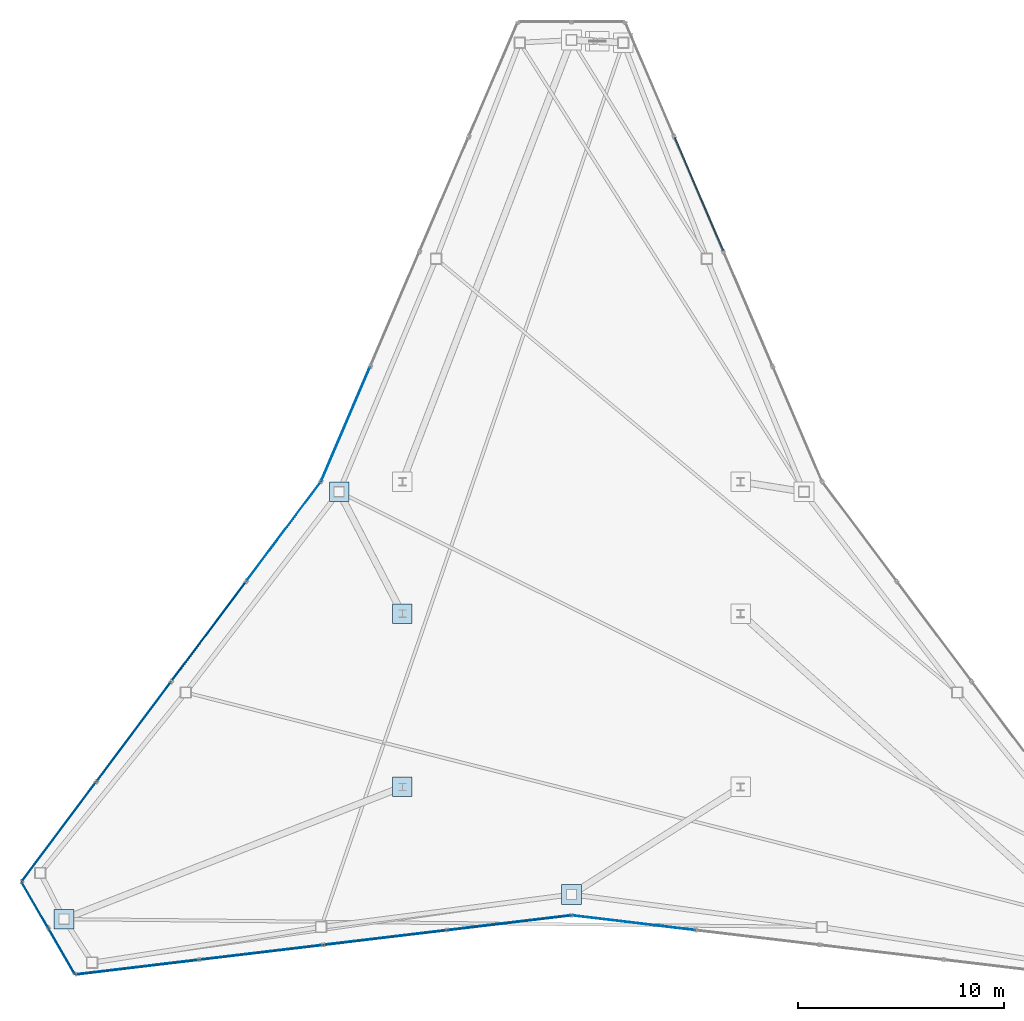
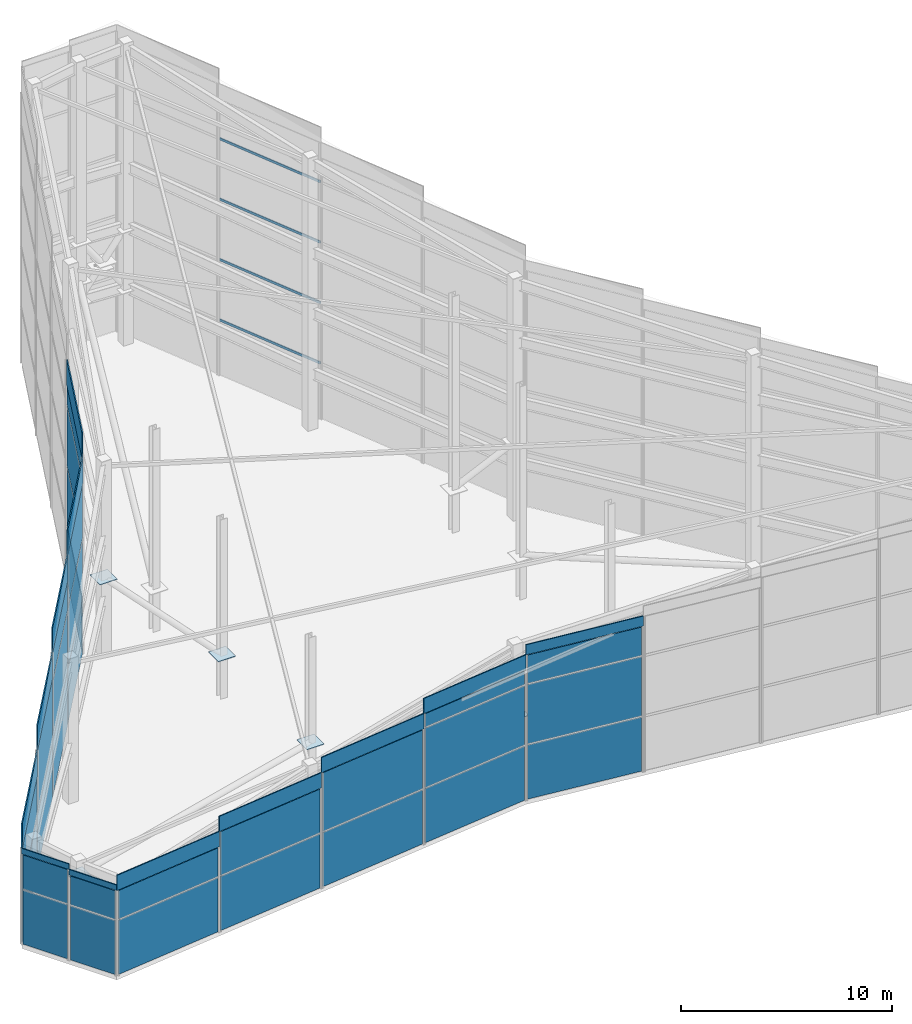
# One storey, part 14 of 17: 47 plates, 4 members, 13 elements without a shape of their own.
"""IFC4 building model written with IfcOpenShell, lengths in metres."""

import ifcopenshell
import ifcopenshell.guid

model = None  # the IFC model being written
_history = None  # IfcOwnerHistory: only IFC2X3 demands one
_inside = {}  # id of a spatial element -> (the spatial element, [elements in it])
_under = {}  # id of a project, library or spatial element -> (it, [spatial elements below it])
_declared = {}  # id of a project -> (the project, [libraries it declares])
_typed = {}  # id of a type object -> (the type object, [elements of that type])
_made_of = {}  # id of a material, layer set ... -> (it, [elements and type objects made of it])


def new_model(schema):
    """Start an empty IFC model of exactly this schema.

    Asked for "IFC4X3", IfcOpenShell would pick the latest addendum, in which some entities
    have other attributes; the version numbers below select the first issue.
    IFC2X3 requires an IfcOwnerHistory on every rooted entity: one is made here for all.
    """
    global model, _history
    if schema == "IFC4X3":
        model = ifcopenshell.file(schema_version=(4, 3, 0, 0))
    else:
        model = ifcopenshell.file(schema=schema)
    _inside.clear()
    _under.clear()
    _declared.clear()
    _typed.clear()
    _made_of.clear()
    _history = None
    if model.schema == "IFC2X3":
        org = make("IfcOrganization", Name="unknown")
        user = make(
            "IfcPersonAndOrganization",
            ThePerson=make("IfcPerson", FamilyName="unknown"),
            TheOrganization=org,
        )
        app = make(
            "IfcApplication",
            ApplicationDeveloper=org,
            Version="unknown",
            ApplicationFullName="unknown",
            ApplicationIdentifier="unknown",
        )
        _history = make(
            "IfcOwnerHistory",
            OwningUser=user,
            OwningApplication=app,
            ChangeAction="ADDED",
            CreationDate=0,
        )
    return model


def make(cls, **values):
    """One entity of the class cls with the attributes given. An attribute that is None is left unset."""
    return model.create_entity(
        cls, **{name: value for name, value in values.items() if value is not None}
    )


def rooted(cls, **values):
    """An entity with a GlobalId (a new one), such as an element, a storey or a relation."""
    return make(cls, GlobalId=ifcopenshell.guid.new(), OwnerHistory=_history, **values)


def si_unit(unit_type, name, prefix=None):
    """IfcSIUnit, for example si_unit("LENGTHUNIT", "METRE", prefix="MILLI")."""
    return make("IfcSIUnit", UnitType=unit_type, Prefix=prefix, Name=name)


def assignment(units):
    """IfcUnitAssignment: the units of a project."""
    return None if units is None else make("IfcUnitAssignment", Units=units)


def point(xyz):
    """IfcCartesianPoint."""
    return None if xyz is None else make("IfcCartesianPoint", Coordinates=xyz)


def direction(xyz):
    """IfcDirection."""
    return None if xyz is None else make("IfcDirection", DirectionRatios=xyz)


def frame(location, z_axis=None, x_axis=None):
    """IfcAxis2Placement3D, a coordinate frame: its origin and axes. An axis left out is left unset."""
    return make(
        "IfcAxis2Placement3D",
        Location=point(location),
        Axis=direction(z_axis),
        RefDirection=direction(x_axis),
    )


def frame_2d(location, x_axis=None):
    """IfcAxis2Placement2D, a coordinate frame in the plane: its origin and x axis."""
    return make(
        "IfcAxis2Placement2D", Location=point(location), RefDirection=direction(x_axis)
    )


def origin():
    """The frame at (0, 0, 0) with its axes left unset."""
    return frame((0.0, 0.0, 0.0))


def origin_2d():
    """The frame at (0, 0) in the plane with its x axis left unset."""
    return frame_2d((0.0, 0.0))


def place(relative_to, where):
    """IfcLocalPlacement: puts the frame where relative to a parent placement (None: the world)."""
    return make(
        "IfcLocalPlacement", PlacementRelTo=relative_to, RelativePlacement=where
    )


def context(
    kind, dimensions, precision=None, world=None, true_north=None, identifier=None
):
    """IfcGeometricRepresentationContext, for example the 3D "Model" context."""
    return make(
        "IfcGeometricRepresentationContext",
        ContextIdentifier=identifier,
        ContextType=kind,
        CoordinateSpaceDimension=dimensions,
        Precision=precision,
        WorldCoordinateSystem=world,
        TrueNorth=true_north,
    )


def subcontext(parent, identifier, kind, view, scale=None):
    """IfcGeometricRepresentationSubContext, for example "Body" below "Model"."""
    return make(
        "IfcGeometricRepresentationSubContext",
        ContextIdentifier=identifier,
        ContextType=kind,
        ParentContext=parent,
        TargetScale=scale,
        TargetView=view,
    )


def project(units=None, contexts=None):
    """IfcProject with its units and contexts."""
    return rooted(
        "IfcProject",
        Name="project",
        RepresentationContexts=contexts,
        UnitsInContext=assignment(units),
    )


def spatial(cls, under=None, at=None, **own):
    """A site, building, storey or space (cls), placed at a placement, below another one or the project."""
    s = rooted(cls, ObjectPlacement=at, **own)
    if under is not None:
        _under.setdefault(under.id(), (under, []))[1].append(s)
    return s


def profile(cls, at=None, kind="AREA", **sizes):
    """A parametric profile (cls). Its sizes go by their IFC names, for example OverallWidth=200.0."""
    return make(cls, ProfileType=kind, Position=at, **sizes)


def rectangle(**sizes):
    """IfcRectangleProfileDef."""
    return profile("IfcRectangleProfileDef", **sizes)


def extrude(swept, where, along, depth):
    """IfcExtrudedAreaSolid: the profile swept, set in the frame where, extruded along a direction by depth."""
    return make(
        "IfcExtrudedAreaSolid",
        SweptArea=swept,
        Position=where,
        ExtrudedDirection=direction(along),
        Depth=depth,
    )


def shape(context_of_items, identifier, shape_type, items):
    """IfcShapeRepresentation: the items that make up one representation, for example the "Body"."""
    return make(
        "IfcShapeRepresentation",
        ContextOfItems=context_of_items,
        RepresentationIdentifier=identifier,
        RepresentationType=shape_type,
        Items=items,
    )


def source(mapping_origin, context_of_items, identifier, shape_type, items):
    """IfcRepresentationMap: a shape defined once, which mapped items show again and again."""
    return make(
        "IfcRepresentationMap",
        MappingOrigin=mapping_origin,
        MappedRepresentation=shape(context_of_items, identifier, shape_type, items),
    )


def transform(
    local_origin,
    x_axis=None,
    y_axis=None,
    z_axis=None,
    scale=None,
    scale2=None,
    scale3=None,
    uniform=True,
):
    """IfcCartesianTransformationOperator3D, or its non-uniform kind. x_axis, y_axis, z_axis: its Axis1, 2, 3."""
    if uniform:
        return make(
            "IfcCartesianTransformationOperator3D",
            Axis1=direction(x_axis),
            Axis2=direction(y_axis),
            LocalOrigin=point(local_origin),
            Scale=scale,
            Axis3=direction(z_axis),
        )
    return make(
        "IfcCartesianTransformationOperator3DnonUniform",
        Axis1=direction(x_axis),
        Axis2=direction(y_axis),
        LocalOrigin=point(local_origin),
        Scale=scale,
        Axis3=direction(z_axis),
        Scale2=scale2,
        Scale3=scale3,
    )


def mapped(mapping_source, mapping_target):
    """IfcMappedItem: shows the shape of a source again, moved by a transform."""
    return make(
        "IfcMappedItem", MappingSource=mapping_source, MappingTarget=mapping_target
    )


def material(Name=None, Category=None):
    """IfcMaterial."""
    return make("IfcMaterial", Name=Name, Category=Category)


def layer(
    of_material, thickness, ventilated=None, Name=None, Category=None, Priority=None
):
    """IfcMaterialLayer: one layer of a wall or slab, of a material (None: an air gap)."""
    return make(
        "IfcMaterialLayer",
        Material=of_material,
        LayerThickness=thickness,
        IsVentilated=ventilated,
        Name=Name,
        Category=Category,
        Priority=Priority,
    )


def layer_set(layers, Name=None):
    """IfcMaterialLayerSet."""
    return make("IfcMaterialLayerSet", MaterialLayers=layers, LayerSetName=Name)


def material_profile(
    of_material, cross_section, Name=None, Category=None, Priority=None
):
    """IfcMaterialProfile: a cross section and its material."""
    return make(
        "IfcMaterialProfile",
        Name=Name,
        Material=of_material,
        Profile=cross_section,
        Priority=Priority,
        Category=Category,
    )


def profile_set(profiles, Name=None, composite=None):
    """IfcMaterialProfileSet."""
    return make(
        "IfcMaterialProfileSet",
        Name=Name,
        MaterialProfiles=profiles,
        CompositeProfile=composite,
    )


def made_of(thing, what):
    """Note that an element or type object is made of a material, layer set ...; save() writes the relation."""
    if what is not None:
        _made_of.setdefault(what.id(), (what, []))[1].append(thing)
    return thing


def type_object(cls, material=None, **own):
    """A type object (cls), such as IfcWallType, which elements share."""
    return made_of(rooted(cls, **own), material)


def type_shapes(of_type, sources):
    """Give a type object the sources (RepresentationMaps) that its elements show as mapped items."""
    of_type.RepresentationMaps = sources


def element(
    cls,
    number,
    at=None,
    inside=None,
    cuts=None,
    type_object=None,
    material=None,
    context=None,
    identifier="Body",
    shape_type=None,
    held_by="IfcProductDefinitionShape",
    body=None,
    shapes=None,
    **own,
):
    """One element of the class cls, such as IfcWall. Its Tag is "e" and its number.

    at: its placement. inside: the storey or other place that contains it. cuts: it is an
    opening in that element (IfcRelVoidsElement). A single representation is given by context,
    identifier, shape_type and body (its items); several are given by shapes. held_by: the class
    of the entity that holds the representations. save() writes the other relations.
    """
    e = rooted(cls, Tag="e%d" % number, ObjectPlacement=at, **own)
    if body is not None:
        shapes = [shape(context, identifier, shape_type, body)]
    if shapes is not None:
        e.Representation = make(held_by, Representations=shapes)
    if inside is not None:
        _inside.setdefault(inside.id(), (inside, []))[1].append(e)
    if cuts is not None:
        rooted(
            "IfcRelVoidsElement", RelatingBuildingElement=cuts, RelatedOpeningElement=e
        )
    if type_object is not None:
        _typed.setdefault(type_object.id(), (type_object, []))[1].append(e)
    return made_of(e, material)


def aggregate(whole, parts):
    """IfcRelAggregates: a whole, such as a stair, and the parts it consists of."""
    return rooted("IfcRelAggregates", RelatingObject=whole, RelatedObjects=parts)


def save(model, path):
    """Write the relations noted so far, then the file.

    IfcRelAggregates (storeys below a building ...), IfcRelContainedInSpatialStructure (elements
    in a storey), IfcRelDefinesByType, IfcRelAssociatesMaterial and IfcRelDeclares: one each for
    every whole, place, type object, material and project.
    """
    for whole, parts in _under.values():
        aggregate(whole, parts)
    for where, things in _inside.values():
        rooted(
            "IfcRelContainedInSpatialStructure",
            RelatedElements=things,
            RelatingStructure=where,
        )
    for kind, things in _typed.values():
        rooted("IfcRelDefinesByType", RelatedObjects=things, RelatingType=kind)
    for what, things in _made_of.values():
        rooted("IfcRelAssociatesMaterial", RelatedObjects=things, RelatingMaterial=what)
    for by, libraries in _declared.values():
        rooted("IfcRelDeclares", RelatingContext=by, RelatedDefinitions=libraries)
    model.write(path)


model = new_model("IFC4")

# Units and contexts
model_context = context("Model", 3, precision=1e-05, world=origin(), true_north=direction((0.0, 1.0)))
body_context = subcontext(model_context, "Body", "Model", "MODEL_VIEW")
ifc_project = project(units=[si_unit("LENGTHUNIT", "METRE"), si_unit("AREAUNIT", "SQUARE_METRE"), si_unit("VOLUMEUNIT", "CUBIC_METRE"), si_unit("PLANEANGLEUNIT", "RADIAN"), si_unit("MASSUNIT", "GRAM", prefix="KILO")], contexts=[model_context])

# Site, building, storey
site_placement = place(None, origin())
site = spatial("IfcSite", under=ifc_project, at=site_placement, CompositionType="ELEMENT")
building_placement = place(site_placement, origin())
building = spatial("IfcBuilding", under=site, at=building_placement, Name="Varakhsha Concourse Tower", CompositionType="ELEMENT")
storey_placement = place(building_placement, frame((0.0, 0.0, 294.800048828125)))
storey = spatial("IfcBuildingStorey", under=building, at=storey_placement, Name="RF", CompositionType="ELEMENT", Elevation=294.800048828125)

# Curtain wall, members
ifc_material_1 = material(Name="Anodised Bronze Architectural Aluminium AA 6063-T6", Category="aluminium")
ifc_layer_1 = layer(ifc_material_1, 0.219970703125, Name="CW-SYS-07")
ifc_layer_set_1 = layer_set([ifc_layer_1], Name="Anodised Bronze Architectural Aluminium AA 6063-T6")
curtain_wall_type = type_object("IfcCurtainWallType", Name="CW-SYS-07", PredefinedType="NOTDEFINED", material=ifc_layer_set_1)
curtain_wall_1_placement = place(storey_placement, origin())
curtain_wall_1 = element("IfcCurtainWall", 1, at=curtain_wall_1_placement, inside=storey, type_object=curtain_wall_type, Name="Slanted Crown Curtain Wall F9-S3", PredefinedType="NOTDEFINED")
ifc_material_profile = material_profile(ifc_material_1, rectangle(XDim=0.06005859375, YDim=0.139892578125, at=origin_2d()), Name="CWT-140X60")
ifc_profile_set = profile_set([ifc_material_profile], Name="Anodised Bronze Architectural Aluminium AA 6063-T6")
member_type = type_object("IfcMemberType", Name="CWT-140X60", PredefinedType="USERDEFINED", material=ifc_profile_set)
shared_shape_1 = source(origin(), body_context, "Body", "SweptSolid", [
    extrude(rectangle(XDim=0.06005859375, YDim=0.139892578125, at=origin_2d()), origin(), (0.0, 0.0, 1.0), 5.96044921875),
])
type_shapes(member_type, [shared_shape_1])
member_1_placement = place(storey_placement, frame((45.006591796875, 47.8798828125, 3.199951171875), z_axis=(0.393864920848, -0.919168332856, 0.0), x_axis=(0.919168332856, 0.393864920848, 0.0)))
member_1 = element("IfcMember", 2, at=member_1_placement, type_object=member_type, Name="CW-RF-F9S3 Transom 01", ObjectType="TRANSOM", PredefinedType="USERDEFINED", context=body_context, shape_type="MappedRepresentation", body=[
    mapped(shared_shape_1, transform((0.0, 0.0, 0.0), scale=1.0)),
])
member_2_placement = place(storey_placement, frame((45.006591796875, 47.8798828125, 6.699951171875), z_axis=(0.393864920848, -0.919168332856, 0.0), x_axis=(0.919168332856, 0.393864920848, 0.0)))
member_2 = element("IfcMember", 3, at=member_2_placement, type_object=member_type, Name="CW-RF-F9S3 Transom 02", ObjectType="TRANSOM", PredefinedType="USERDEFINED", context=body_context, shape_type="MappedRepresentation", body=[
    mapped(shared_shape_1, transform((0.0, 0.0, 0.0), scale=1.0)),
])
member_3_placement = place(storey_placement, frame((45.006591796875, 47.8798828125, 10.199951171875), z_axis=(0.393864920848, -0.919168332856, 0.0), x_axis=(0.919168332856, 0.393864920848, 0.0)))
member_3 = element("IfcMember", 4, at=member_3_placement, type_object=member_type, Name="CW-RF-F9S3 Transom 03", ObjectType="TRANSOM", PredefinedType="USERDEFINED", context=body_context, shape_type="MappedRepresentation", body=[
    mapped(shared_shape_1, transform((0.0, 0.0, 0.0), scale=1.0)),
])
member_4_placement = place(storey_placement, frame((45.006591796875, 47.8798828125, 13.699951171875), z_axis=(0.393864920848, -0.919168332856, 0.0), x_axis=(0.919168332856, 0.393864920848, 0.0)))
member_4 = element("IfcMember", 5, at=member_4_placement, type_object=member_type, Name="CW-RF-F9S3 Transom 04", ObjectType="TRANSOM", PredefinedType="USERDEFINED", context=body_context, shape_type="MappedRepresentation", body=[
    mapped(shared_shape_1, transform((0.0, 0.0, 0.0), scale=1.0)),
])
aggregate(curtain_wall_1, [member_1, member_2, member_3, member_4])

# Plates
ifc_material_2 = material(Name="Structural Steel ASTM A572 Grade 50", Category="steel")
ifc_layer_2 = layer(ifc_material_2, 0.030029296875, Name="PL-ENDCAP-950")
ifc_layer_set_2 = layer_set([ifc_layer_2], Name="Structural Steel ASTM A572 Grade 50")
plate_type_1 = type_object("IfcPlateType", Name="PL-ENDCAP-950", PredefinedType="USERDEFINED", material=ifc_layer_set_2)
shared_shape_2 = source(origin(), body_context, "Body", "SweptSolid", [
    extrude(rectangle(XDim=0.949951171875, YDim=0.949951171875, at=origin_2d()), origin(), (0.0, 0.0, 1.0), 0.030029296875),
])
type_shapes(plate_type_1, [shared_shape_2])
for number, where, z_axis, x_axis, name in (
    (6, (31.800048828125, 16.39990234375, 2.43505859375), (0.0, 0.0, 1.0), (1.0, 0.0, 0.0), "Hollow Section End Cap GP-NODE-RF-0874"),
    (7, (15.390380859375, 9.99169921875, 4.384765625), (0.0, 0.0, 1.0), (1.0, 0.0, 0.0), "Hollow Section End Cap GP-NODE-RF-0875"),
    (8, (40.0, 11.18505859375, 4.384765625), (0.0, 0.0, 1.0), (1.0, 0.0, 0.0), "Hollow Section End Cap GP-NODE-RF-0877"),
    (9, (31.800048828125, 24.800048828125, 2.43505859375), (0.0, 0.0, 1.0), (1.0, 0.0, 0.0), "Hollow Section End Cap GP-NODE-RF-0884"),
    (10, (28.728759765625, 30.70751953125, 4.384765625), (0.0, 0.0, 1.0), (1.0, 0.0, 0.0), "Hollow Section End Cap GP-NODE-RF-0885"),
):
    element("IfcPlate", number, at=place(storey_placement, frame(where, z_axis=z_axis, x_axis=x_axis)), inside=storey, type_object=plate_type_1, Name=name, ObjectType="END PLATE", PredefinedType="USERDEFINED", context=body_context, shape_type="MappedRepresentation", body=[
        mapped(shared_shape_2, transform((0.0, 0.0, 0.0), scale=1.0)),
    ])

# Curtain wall, plate
curtain_wall_2_placement = place(storey_placement, origin())
curtain_wall_2 = element("IfcCurtainWall", 11, at=curtain_wall_2_placement, inside=storey, type_object=curtain_wall_type, Name="Slanted Crown Curtain Wall F4-S1", PredefinedType="NOTDEFINED")
ifc_material_3 = material(Name="Insulated Anodised Bronze Aluminium Spandrel 36 mm", Category="aluminium")
ifc_layer_3 = layer(ifc_material_3, 0.035888671875, Name="CWP-SPN-36")
ifc_layer_set_3 = layer_set([ifc_layer_3], Name="Insulated Anodised Bronze Aluminium Spandrel 36 mm")
plate_type_2 = type_object("IfcPlateType", Name="CWP-SPN-36", PredefinedType="USERDEFINED", material=ifc_layer_set_3)
shared_shape_3 = source(origin(), body_context, "Body", "SweptSolid", [
    extrude(rectangle(XDim=2.430908203125, YDim=0.035888671875, at=origin_2d()), origin(), (0.0, 0.0, 1.0), 3.135986328125),
])
plate_1_placement = place(storey_placement, frame((13.978271484375, 10.677490234375, 0.03173828125), z_axis=(0.0, 0.0, 1.0), x_axis=(-0.500010580459, 0.866019295067, 0.0)))
plate_1 = element("IfcPlate", 12, at=plate_1_placement, type_object=plate_type_2, Name="CW-RF-F4S1 Panel 00-00", ObjectType="SPANDREL", PredefinedType="USERDEFINED", context=body_context, shape_type="MappedRepresentation", body=[
    mapped(shared_shape_3, transform((0.0, 0.0, 0.0), scale=1.0)),
])

curtain_wall_3_placement = place(storey_placement, origin())
curtain_wall_3 = element("IfcCurtainWall", 13, at=curtain_wall_3_placement, inside=storey, type_object=curtain_wall_type, Name="Slanted Crown Curtain Wall F4-S2", PredefinedType="NOTDEFINED")
plate_2_placement = place(storey_placement, frame((15.2783203125, 8.42578125, 0.03173828125), z_axis=(0.0, 0.0, 1.0), x_axis=(-0.49999395399, 0.866028894422, 0.0)))
plate_2 = element("IfcPlate", 14, at=plate_2_placement, type_object=plate_type_2, Name="CW-RF-F4S2 Panel 00-00", ObjectType="SPANDREL", PredefinedType="USERDEFINED", context=body_context, shape_type="MappedRepresentation", body=[
    mapped(shared_shape_3, transform((0.0, 0.0, 0.0), scale=1.0)),
])

# Plate
shared_shape_4 = source(origin(), body_context, "Body", "SweptSolid", [
    extrude(rectangle(XDim=2.60009765625, YDim=0.06005859375, at=origin_2d()), origin(), (0.0, 0.0, 1.0), 0.320068359375),
])
plate_3_placement = place(storey_placement, frame((15.2783203125, 8.42578125, 4.935546875), z_axis=(0.0, 0.0, 1.0), x_axis=(-0.5, 0.866025403784, 0.0)))
element("IfcPlate", 15, at=plate_3_placement, inside=storey, type_object=plate_type_2, Name="Crown Sloped Fascia Wedge Closure F4-S2", ObjectType="SPANDREL", PredefinedType="USERDEFINED", context=body_context, shape_type="MappedRepresentation", body=[
    mapped(shared_shape_4, transform((0.0, 0.0, 0.0), scale=1.0)),
])

# Curtain wall, plate
curtain_wall_4_placement = place(storey_placement, origin())
curtain_wall_4 = element("IfcCurtainWall", 16, at=curtain_wall_4_placement, inside=storey, type_object=curtain_wall_type, Name="Slanted Crown Curtain Wall F2-S4", PredefinedType="NOTDEFINED")
ifc_material_4 = material(Name="Low-E Triple Insulating Glass IGU 44 mm", Category="glass")
ifc_layer_4 = layer(ifc_material_4, 0.0439453125, Name="CWP-IGU-44")
ifc_layer_set_4 = layer_set([ifc_layer_4], Name="Low-E Triple Insulating Glass IGU 44 mm")
plate_type_3 = type_object("IfcPlateType", Name="CWP-IGU-44", PredefinedType="CURTAIN_PANEL", material=ifc_layer_set_4)
shared_shape_5 = source(origin(), body_context, "Body", "SweptSolid", [
    extrude(rectangle(XDim=5.8916015625, YDim=0.0439453125, at=origin_2d()), origin(), (0.0, 0.0, 1.0), 3.135986328125),
])
plate_4_placement = place(storey_placement, frame((29.045654296875, 33.998779296875, 0.03173828125), z_axis=(0.0, 0.0, 1.0), x_axis=(0.393840843001, 0.919178649874, 0.0)))
plate_4 = element("IfcPlate", 17, at=plate_4_placement, type_object=plate_type_3, Name="CW-RF-F2S4 Panel 00-00", PredefinedType="CURTAIN_PANEL", context=body_context, shape_type="MappedRepresentation", body=[
    mapped(shared_shape_5, transform((0.0, 0.0, 0.0), scale=1.0)),
])

curtain_wall_5_placement = place(storey_placement, origin())
curtain_wall_5 = element("IfcCurtainWall", 18, at=curtain_wall_5_placement, inside=storey, type_object=curtain_wall_type, Name="Slanted Crown Curtain Wall F3-S2", PredefinedType="NOTDEFINED")
plate_5_placement = place(storey_placement, frame((22.40576171875, 23.934814453125, 0.03173828125), z_axis=(0.0, 0.0, 1.0), x_axis=(0.599100460449, 0.800673865122, 0.0)))
plate_5 = element("IfcPlate", 19, at=plate_5_placement, type_object=plate_type_3, Name="CW-RF-F3S2 Panel 00-00", PredefinedType="CURTAIN_PANEL", context=body_context, shape_type="MappedRepresentation", body=[
    mapped(shared_shape_5, transform((0.0, 0.0, 0.0), scale=1.0)),
])

curtain_wall_6_placement = place(storey_placement, origin())
curtain_wall_6 = element("IfcCurtainWall", 20, at=curtain_wall_6_placement, inside=storey, type_object=curtain_wall_type, Name="Slanted Crown Curtain Wall F3-S3", PredefinedType="NOTDEFINED")
plate_6_placement = place(storey_placement, frame((18.77490234375, 19.08203125, 0.03173828125), z_axis=(0.0, 0.0, 1.0), x_axis=(0.599100460449, 0.800673865122, 0.0)))
plate_6 = element("IfcPlate", 21, at=plate_6_placement, type_object=plate_type_3, Name="CW-RF-F3S3 Panel 00-00", PredefinedType="CURTAIN_PANEL", context=body_context, shape_type="MappedRepresentation", body=[
    mapped(shared_shape_5, transform((0.0, 0.0, 0.0), scale=1.0)),
])

curtain_wall_7_placement = place(storey_placement, origin())
curtain_wall_7 = element("IfcCurtainWall", 22, at=curtain_wall_7_placement, inside=storey, type_object=curtain_wall_type, Name="Slanted Crown Curtain Wall F3-S4", PredefinedType="NOTDEFINED")
plate_7_placement = place(storey_placement, frame((15.143798828125, 14.2294921875, 0.03173828125), z_axis=(0.0, 0.0, 1.0), x_axis=(0.599092075779, 0.800680138844, 0.0)))
plate_7 = element("IfcPlate", 23, at=plate_7_placement, type_object=plate_type_3, Name="CW-RF-F3S4 Panel 00-00", PredefinedType="CURTAIN_PANEL", context=body_context, shape_type="MappedRepresentation", body=[
    mapped(shared_shape_5, transform((0.0, 0.0, 0.0), scale=1.0)),
])

curtain_wall_8_placement = place(storey_placement, origin())
curtain_wall_8 = element("IfcCurtainWall", 24, at=curtain_wall_8_placement, inside=storey, type_object=curtain_wall_type, Name="Slanted Crown Curtain Wall F5-S1", PredefinedType="NOTDEFINED")
plate_8_placement = place(storey_placement, frame((18.937255859375, 7.6591796875, 0.03173828125), z_axis=(0.0, 0.0, 1.0), x_axis=(-0.992951034922, -0.118525281045, 0.0)))
plate_8 = element("IfcPlate", 25, at=plate_8_placement, type_object=plate_type_3, Name="CW-RF-F5S1 Panel 00-00", PredefinedType="CURTAIN_PANEL", context=body_context, shape_type="MappedRepresentation", body=[
    mapped(shared_shape_5, transform((0.0, 0.0, 0.0), scale=1.0)),
])

curtain_wall_9_placement = place(storey_placement, origin())
curtain_wall_9 = element("IfcCurtainWall", 26, at=curtain_wall_9_placement, inside=storey, type_object=curtain_wall_type, Name="Slanted Crown Curtain Wall F5-S3", PredefinedType="NOTDEFINED")
plate_9_placement = place(storey_placement, frame((30.97314453125, 9.095703125, 0.03173828125), z_axis=(0.0, 0.0, 1.0), x_axis=(-0.992951034922, -0.118525281045, 0.0)))
plate_9 = element("IfcPlate", 27, at=plate_9_placement, type_object=plate_type_3, Name="CW-RF-F5S3 Panel 00-00", PredefinedType="CURTAIN_PANEL", context=body_context, shape_type="MappedRepresentation", body=[
    mapped(shared_shape_5, transform((0.0, 0.0, 0.0), scale=1.0)),
])

curtain_wall_10_placement = place(storey_placement, origin())
curtain_wall_10 = element("IfcCurtainWall", 28, at=curtain_wall_10_placement, inside=storey, type_object=curtain_wall_type, Name="Slanted Crown Curtain Wall F5-S4", PredefinedType="NOTDEFINED")
plate_10_placement = place(storey_placement, frame((36.9912109375, 9.81396484375, 0.03173828125), z_axis=(0.0, 0.0, 1.0), x_axis=(-0.992952896591, -0.118509683792, 0.0)))
plate_10 = element("IfcPlate", 29, at=plate_10_placement, type_object=plate_type_3, Name="CW-RF-F5S4 Panel 00-00", PredefinedType="CURTAIN_PANEL", context=body_context, shape_type="MappedRepresentation", body=[
    mapped(shared_shape_5, transform((0.0, 0.0, 0.0), scale=1.0)),
])

# Plate
shared_shape_6 = source(origin(), body_context, "Body", "SweptSolid", [
    extrude(rectangle(XDim=5.8916015625, YDim=0.0439453125, at=origin_2d()), origin(), (0.0, 0.0, 1.0), 3.43603515625),
])
plate_11_placement = place(storey_placement, frame((29.045654296875, 33.998779296875, 3.23193359375), z_axis=(0.0, 0.0, 1.0), x_axis=(0.393840843001, 0.919178649874, 0.0)))
plate_11 = element("IfcPlate", 30, at=plate_11_placement, type_object=plate_type_3, Name="CW-RF-F2S4 Panel 00-01", PredefinedType="CURTAIN_PANEL", context=body_context, shape_type="MappedRepresentation", body=[
    mapped(shared_shape_6, transform((0.0, 0.0, 0.0), scale=1.0)),
])

plate_12_placement = place(storey_placement, frame((29.045654296875, 33.998779296875, 6.73193359375), z_axis=(0.0, 0.0, 1.0), x_axis=(0.393840843001, 0.919178649874, 0.0)))
plate_12 = element("IfcPlate", 31, at=plate_12_placement, type_object=plate_type_3, Name="CW-RF-F2S4 Panel 00-02", PredefinedType="CURTAIN_PANEL", context=body_context, shape_type="MappedRepresentation", body=[
    mapped(shared_shape_6, transform((0.0, 0.0, 0.0), scale=1.0)),
])

plate_13_placement = place(storey_placement, frame((22.40576171875, 23.934814453125, 3.23193359375), z_axis=(0.0, 0.0, 1.0), x_axis=(0.599100460449, 0.800673865122, 0.0)))
plate_13 = element("IfcPlate", 32, at=plate_13_placement, type_object=plate_type_3, Name="CW-RF-F3S2 Panel 00-01", PredefinedType="CURTAIN_PANEL", context=body_context, shape_type="MappedRepresentation", body=[
    mapped(shared_shape_6, transform((0.0, 0.0, 0.0), scale=1.0)),
])

plate_14_placement = place(storey_placement, frame((36.9912109375, 9.81396484375, 3.23193359375), z_axis=(0.0, 0.0, 1.0), x_axis=(-0.992952896591, -0.118509683792, 0.0)))
plate_14 = element("IfcPlate", 33, at=plate_14_placement, type_object=plate_type_3, Name="CW-RF-F5S4 Panel 00-01", PredefinedType="CURTAIN_PANEL", context=body_context, shape_type="MappedRepresentation", body=[
    mapped(shared_shape_6, transform((0.0, 0.0, 0.0), scale=1.0)),
])

# Plates
shared_shape_7 = source(origin(), body_context, "Body", "SweptSolid", [
    extrude(rectangle(XDim=6.060546875, YDim=0.06005859375, at=origin_2d()), origin(), (0.0, 0.0, 1.0), 1.452880859375),
])
for number, where, z_axis, x_axis, name in (
    (34, (29.045654296875, 33.998779296875, 11.33837890625), (0.0, 0.0, 1.0), (0.393845655803, 0.919176587716, 0.0), "Crown Sloped Fascia Wedge Closure F2-S4"),
    (35, (22.40576171875, 23.934814453125, 8.44921875), (0.0, 0.0, 1.0), (0.599121421837, 0.800658180434, 0.0), "Crown Sloped Fascia Wedge Closure F3-S2"),
):
    element("IfcPlate", number, at=place(storey_placement, frame(where, z_axis=z_axis, x_axis=x_axis)), inside=storey, type_object=plate_type_2, Name=name, ObjectType="SPANDREL", PredefinedType="USERDEFINED", context=body_context, shape_type="MappedRepresentation", body=[
        mapped(shared_shape_7, transform((0.0, 0.0, 0.0), scale=1.0)),
    ])
shared_shape_8 = source(origin(), body_context, "Body", "SweptSolid", [
    extrude(rectangle(XDim=6.060791015625, YDim=0.06005859375, at=origin_2d()), origin(), (0.0, 0.0, 1.0), 1.452880859375),
])
for number, where, z_axis, x_axis, name in (
    (36, (26.036865234375, 28.787109375, 9.89404296875), (0.0, 0.0, 1.0), (0.599107447624, 0.800668636954, 0.0), "Crown Sloped Fascia Wedge Closure F3-S1"),
    (37, (15.143798828125, 14.2294921875, 5.5595703125), (0.0, 0.0, 1.0), (0.599107447624, 0.800668636954, 0.0), "Crown Sloped Fascia Wedge Closure F3-S4"),
):
    element("IfcPlate", number, at=place(storey_placement, frame(where, z_axis=z_axis, x_axis=x_axis)), inside=storey, type_object=plate_type_2, Name=name, ObjectType="SPANDREL", PredefinedType="USERDEFINED", context=body_context, shape_type="MappedRepresentation", body=[
        mapped(shared_shape_8, transform((0.0, 0.0, 0.0), scale=1.0)),
    ])
shared_shape_9 = source(origin(), body_context, "Body", "SweptSolid", [
    extrude(rectangle(XDim=6.060546875, YDim=0.06005859375, at=origin_2d()), origin(), (0.0, 0.0, 1.0), 1.45263671875),
])
plate_15_placement = place(storey_placement, frame((18.77490234375, 19.08203125, 7.00439453125), z_axis=(0.0, 0.0, 1.0), x_axis=(0.599121421837, 0.800658180434, 0.0)))
element("IfcPlate", 38, at=plate_15_placement, inside=storey, type_object=plate_type_2, Name="Crown Sloped Fascia Wedge Closure F3-S3", ObjectType="SPANDREL", PredefinedType="USERDEFINED", context=body_context, shape_type="MappedRepresentation", body=[
    mapped(shared_shape_9, transform((0.0, 0.0, 0.0), scale=1.0)),
])

# Plate
shared_shape_10 = source(origin(), body_context, "Body", "SweptSolid", [
    extrude(rectangle(XDim=5.8916015625, YDim=0.035888671875, at=origin_2d()), origin(), (0.0, 0.0, 1.0), 1.062744140625),
])
plate_16_placement = place(storey_placement, frame((29.045654296875, 33.998779296875, 10.23193359375), z_axis=(0.0, 0.0, 1.0), x_axis=(0.393840843001, 0.919178649874, 0.0)))
plate_16 = element("IfcPlate", 39, at=plate_16_placement, type_object=plate_type_2, Name="CW-RF-F2S4 Panel 00-03", ObjectType="SPANDREL", PredefinedType="USERDEFINED", context=body_context, shape_type="MappedRepresentation", body=[
    mapped(shared_shape_10, transform((0.0, 0.0, 0.0), scale=1.0)),
])

aggregate(curtain_wall_4, [plate_4, plate_11, plate_12, plate_16])

# Curtain wall, plate
curtain_wall_11_placement = place(storey_placement, origin())
curtain_wall_11 = element("IfcCurtainWall", 40, at=curtain_wall_11_placement, inside=storey, type_object=curtain_wall_type, Name="Slanted Crown Curtain Wall F3-S1", PredefinedType="NOTDEFINED")
shared_shape_11 = source(origin(), body_context, "Body", "SweptSolid", [
    extrude(rectangle(XDim=5.8916015625, YDim=0.035888671875, at=origin_2d()), origin(), (0.0, 0.0, 1.0), 3.135986328125),
])
plate_17_placement = place(storey_placement, frame((26.036865234375, 28.787109375, 0.03173828125), z_axis=(0.0, 0.0, 1.0), x_axis=(0.599092075779, 0.800680138844, 0.0)))
plate_17 = element("IfcPlate", 41, at=plate_17_placement, type_object=plate_type_2, Name="CW-RF-F3S1 Panel 00-00", ObjectType="SPANDREL", PredefinedType="USERDEFINED", context=body_context, shape_type="MappedRepresentation", body=[
    mapped(shared_shape_11, transform((0.0, 0.0, 0.0), scale=1.0)),
])

curtain_wall_12_placement = place(storey_placement, origin())
curtain_wall_12 = element("IfcCurtainWall", 42, at=curtain_wall_12_placement, inside=storey, type_object=curtain_wall_type, Name="Slanted Crown Curtain Wall F6-S1", PredefinedType="NOTDEFINED")
plate_18_placement = place(storey_placement, frame((43.0087890625, 9.81396484375, 0.03173828125), z_axis=(0.0, 0.0, 1.0), x_axis=(-0.992952896591, 0.118509683792, 0.0)))
plate_18 = element("IfcPlate", 43, at=plate_18_placement, type_object=plate_type_2, Name="CW-RF-F6S1 Panel 00-00", ObjectType="SPANDREL", PredefinedType="USERDEFINED", context=body_context, shape_type="MappedRepresentation", body=[
    mapped(shared_shape_11, transform((0.0, 0.0, 0.0), scale=1.0)),
])

# Plate
shared_shape_12 = source(origin(), body_context, "Body", "SweptSolid", [
    extrude(rectangle(XDim=5.8916015625, YDim=0.035888671875, at=origin_2d()), origin(), (0.0, 0.0, 1.0), 3.43603515625),
])
plate_19_placement = place(storey_placement, frame((26.036865234375, 28.787109375, 3.23193359375), z_axis=(0.0, 0.0, 1.0), x_axis=(0.599092075779, 0.800680138844, 0.0)))
plate_19 = element("IfcPlate", 44, at=plate_19_placement, type_object=plate_type_2, Name="CW-RF-F3S1 Panel 00-01", ObjectType="SPANDREL", PredefinedType="USERDEFINED", context=body_context, shape_type="MappedRepresentation", body=[
    mapped(shared_shape_12, transform((0.0, 0.0, 0.0), scale=1.0)),
])

plate_20_placement = place(storey_placement, frame((43.0087890625, 9.81396484375, 3.23193359375), z_axis=(0.0, 0.0, 1.0), x_axis=(-0.992952896591, 0.118509683792, 0.0)))
plate_20 = element("IfcPlate", 45, at=plate_20_placement, type_object=plate_type_2, Name="CW-RF-F6S1 Panel 00-01", ObjectType="SPANDREL", PredefinedType="USERDEFINED", context=body_context, shape_type="MappedRepresentation", body=[
    mapped(shared_shape_12, transform((0.0, 0.0, 0.0), scale=1.0)),
])

shared_shape_13 = source(origin(), body_context, "Body", "SweptSolid", [
    extrude(rectangle(XDim=5.8916015625, YDim=0.035888671875, at=origin_2d()), origin(), (0.0, 0.0, 1.0), 3.117919921875),
])
plate_21_placement = place(storey_placement, frame((26.036865234375, 28.787109375, 6.73193359375), z_axis=(0.0, 0.0, 1.0), x_axis=(0.599092075779, 0.800680138844, 0.0)))
plate_21 = element("IfcPlate", 46, at=plate_21_placement, type_object=plate_type_2, Name="CW-RF-F3S1 Panel 00-02", ObjectType="SPANDREL", PredefinedType="USERDEFINED", context=body_context, shape_type="MappedRepresentation", body=[
    mapped(shared_shape_13, transform((0.0, 0.0, 0.0), scale=1.0)),
])

aggregate(curtain_wall_11, [plate_17, plate_19, plate_21])

shared_shape_14 = source(origin(), body_context, "Body", "SweptSolid", [
    extrude(rectangle(XDim=5.8916015625, YDim=0.035888671875, at=origin_2d()), origin(), (0.0, 0.0, 1.0), 1.673095703125),
])
plate_22_placement = place(storey_placement, frame((22.40576171875, 23.934814453125, 6.73193359375), z_axis=(0.0, 0.0, 1.0), x_axis=(0.599100460449, 0.800673865122, 0.0)))
plate_22 = element("IfcPlate", 47, at=plate_22_placement, type_object=plate_type_2, Name="CW-RF-F3S2 Panel 00-02", ObjectType="SPANDREL", PredefinedType="USERDEFINED", context=body_context, shape_type="MappedRepresentation", body=[
    mapped(shared_shape_14, transform((0.0, 0.0, 0.0), scale=1.0)),
])

aggregate(curtain_wall_5, [plate_5, plate_13, plate_22])

shared_shape_15 = source(origin(), body_context, "Body", "SweptSolid", [
    extrude(rectangle(XDim=5.8916015625, YDim=0.035888671875, at=origin_2d()), origin(), (0.0, 0.0, 1.0), 3.728515625),
])
plate_23_placement = place(storey_placement, frame((18.77490234375, 19.08203125, 3.23193359375), z_axis=(0.0, 0.0, 1.0), x_axis=(0.599100460449, 0.800673865122, 0.0)))
plate_23 = element("IfcPlate", 48, at=plate_23_placement, type_object=plate_type_2, Name="CW-RF-F3S3 Panel 00-01", ObjectType="SPANDREL", PredefinedType="USERDEFINED", context=body_context, shape_type="MappedRepresentation", body=[
    mapped(shared_shape_15, transform((0.0, 0.0, 0.0), scale=1.0)),
])

aggregate(curtain_wall_6, [plate_6, plate_23])

shared_shape_16 = source(origin(), body_context, "Body", "SweptSolid", [
    extrude(rectangle(XDim=5.8916015625, YDim=0.035888671875, at=origin_2d()), origin(), (0.0, 0.0, 1.0), 2.28369140625),
])
plate_24_placement = place(storey_placement, frame((15.143798828125, 14.2294921875, 3.23193359375), z_axis=(0.0, 0.0, 1.0), x_axis=(0.599092075779, 0.800680138844, 0.0)))
plate_24 = element("IfcPlate", 49, at=plate_24_placement, type_object=plate_type_2, Name="CW-RF-F3S4 Panel 00-01", ObjectType="SPANDREL", PredefinedType="USERDEFINED", context=body_context, shape_type="MappedRepresentation", body=[
    mapped(shared_shape_16, transform((0.0, 0.0, 0.0), scale=1.0)),
])

aggregate(curtain_wall_7, [plate_7, plate_24])

shared_shape_17 = source(origin(), body_context, "Body", "SweptSolid", [
    extrude(rectangle(XDim=2.430908203125, YDim=0.035888671875, at=origin_2d()), origin(), (0.0, 0.0, 1.0), 1.971435546875),
])
plate_25_placement = place(storey_placement, frame((13.978271484375, 10.677490234375, 3.23193359375), z_axis=(0.0, 0.0, 1.0), x_axis=(-0.500010580459, 0.866019295067, 0.0)))
plate_25 = element("IfcPlate", 50, at=plate_25_placement, type_object=plate_type_2, Name="CW-RF-F4S1 Panel 00-01", ObjectType="SPANDREL", PredefinedType="USERDEFINED", context=body_context, shape_type="MappedRepresentation", body=[
    mapped(shared_shape_17, transform((0.0, 0.0, 0.0), scale=1.0)),
])

aggregate(curtain_wall_2, [plate_1, plate_25])

shared_shape_18 = source(origin(), body_context, "Body", "SweptSolid", [
    extrude(rectangle(XDim=2.599853515625, YDim=0.06005859375, at=origin_2d()), origin(), (0.0, 0.0, 1.0), 0.320068359375),
])
plate_26_placement = place(storey_placement, frame((13.978271484375, 10.677490234375, 5.24755859375), z_axis=(0.0, 0.0, 1.0), x_axis=(-0.500015114919, 0.866016677006, 0.0)))
element("IfcPlate", 51, at=plate_26_placement, inside=storey, type_object=plate_type_2, Name="Crown Sloped Fascia Wedge Closure F4-S1", ObjectType="SPANDREL", PredefinedType="USERDEFINED", context=body_context, shape_type="MappedRepresentation", body=[
    mapped(shared_shape_18, transform((0.0, 0.0, 0.0), scale=1.0)),
])

shared_shape_19 = source(origin(), body_context, "Body", "SweptSolid", [
    extrude(rectangle(XDim=2.430908203125, YDim=0.035888671875, at=origin_2d()), origin(), (0.0, 0.0, 1.0), 1.659423828125),
])
plate_27_placement = place(storey_placement, frame((15.2783203125, 8.42578125, 3.23193359375), z_axis=(0.0, 0.0, 1.0), x_axis=(-0.49999395399, 0.866028894422, 0.0)))
plate_27 = element("IfcPlate", 52, at=plate_27_placement, type_object=plate_type_2, Name="CW-RF-F4S2 Panel 00-01", ObjectType="SPANDREL", PredefinedType="USERDEFINED", context=body_context, shape_type="MappedRepresentation", body=[
    mapped(shared_shape_19, transform((0.0, 0.0, 0.0), scale=1.0)),
])

aggregate(curtain_wall_3, [plate_2, plate_27])

shared_shape_20 = source(origin(), body_context, "Body", "SweptSolid", [
    extrude(rectangle(XDim=5.8916015625, YDim=0.035888671875, at=origin_2d()), origin(), (0.0, 0.0, 1.0), 1.659423828125),
])
plate_28_placement = place(storey_placement, frame((18.937255859375, 7.6591796875, 3.23193359375), z_axis=(0.0, 0.0, 1.0), x_axis=(-0.992951034922, -0.118525281045, 0.0)))
plate_28 = element("IfcPlate", 53, at=plate_28_placement, type_object=plate_type_2, Name="CW-RF-F5S1 Panel 00-01", ObjectType="SPANDREL", PredefinedType="USERDEFINED", context=body_context, shape_type="MappedRepresentation", body=[
    mapped(shared_shape_20, transform((0.0, 0.0, 0.0), scale=1.0)),
])

aggregate(curtain_wall_8, [plate_8, plate_28])

# Plates
shared_shape_21 = source(origin(), body_context, "Body", "SweptSolid", [
    extrude(rectangle(XDim=6.060546875, YDim=0.06005859375, at=origin_2d()), origin(), (0.0, 0.0, 1.0), 0.879638671875),
])
for number, where, z_axis, x_axis, name in (
    (54, (18.937255859375, 7.6591796875, 4.935546875), (0.0, 0.0, 1.0), (-0.992951034922, -0.118525281045, 0.0), "Crown Sloped Fascia Wedge Closure F5-S1"),
    (55, (36.9912109375, 9.81396484375, 7.55029296875), (0.0, 0.0, 1.0), (-0.992953103427, -0.118507950762, 0.0), "Crown Sloped Fascia Wedge Closure F5-S4"),
):
    element("IfcPlate", number, at=place(storey_placement, frame(where, z_axis=z_axis, x_axis=x_axis)), inside=storey, type_object=plate_type_2, Name=name, ObjectType="SPANDREL", PredefinedType="USERDEFINED", context=body_context, shape_type="MappedRepresentation", body=[
        mapped(shared_shape_21, transform((0.0, 0.0, 0.0), scale=1.0)),
    ])

# Curtain wall, plates
curtain_wall_13_placement = place(storey_placement, origin())
curtain_wall_13 = element("IfcCurtainWall", 56, at=curtain_wall_13_placement, inside=storey, type_object=curtain_wall_type, Name="Slanted Crown Curtain Wall F5-S2", PredefinedType="NOTDEFINED")
shared_shape_22 = source(origin(), body_context, "Body", "SweptSolid", [
    extrude(rectangle(XDim=5.891845703125, YDim=0.0439453125, at=origin_2d()), origin(), (0.0, 0.0, 1.0), 3.135986328125),
])
type_shapes(plate_type_3, [shared_shape_5, shared_shape_6, shared_shape_22])
plate_29_placement = place(storey_placement, frame((24.955078125, 8.37744140625, 0.03173828125), z_axis=(0.0, 0.0, 1.0), x_axis=(-0.992953103427, -0.118507950762, 0.0)))
plate_29 = element("IfcPlate", 57, at=plate_29_placement, type_object=plate_type_3, Name="CW-RF-F5S2 Panel 00-00", PredefinedType="CURTAIN_PANEL", context=body_context, shape_type="MappedRepresentation", body=[
    mapped(shared_shape_22, transform((0.0, 0.0, 0.0), scale=1.0)),
])
shared_shape_23 = source(origin(), body_context, "Body", "SweptSolid", [
    extrude(rectangle(XDim=5.891845703125, YDim=0.035888671875, at=origin_2d()), origin(), (0.0, 0.0, 1.0), 2.531005859375),
])
plate_30_placement = place(storey_placement, frame((24.955078125, 8.37744140625, 3.23193359375), z_axis=(0.0, 0.0, 1.0), x_axis=(-0.992953103427, -0.118507950762, 0.0)))
plate_30 = element("IfcPlate", 58, at=plate_30_placement, type_object=plate_type_2, Name="CW-RF-F5S2 Panel 00-01", ObjectType="SPANDREL", PredefinedType="USERDEFINED", context=body_context, shape_type="MappedRepresentation", body=[
    mapped(shared_shape_23, transform((0.0, 0.0, 0.0), scale=1.0)),
])
aggregate(curtain_wall_13, [plate_29, plate_30])

# Plate
shared_shape_24 = source(origin(), body_context, "Body", "SweptSolid", [
    extrude(rectangle(XDim=6.060791015625, YDim=0.06005859375, at=origin_2d()), origin(), (0.0, 0.0, 1.0), 0.879638671875),
])
plate_31_placement = place(storey_placement, frame((24.955078125, 8.37744140625, 5.80712890625), z_axis=(0.0, 0.0, 1.0), x_axis=(-0.992953103427, -0.118507950762, 0.0)))
element("IfcPlate", 59, at=plate_31_placement, inside=storey, type_object=plate_type_2, Name="Crown Sloped Fascia Wedge Closure F5-S2", ObjectType="SPANDREL", PredefinedType="USERDEFINED", context=body_context, shape_type="MappedRepresentation", body=[
    mapped(shared_shape_24, transform((0.0, 0.0, 0.0), scale=1.0)),
])

shared_shape_25 = source(origin(), body_context, "Body", "SweptSolid", [
    extrude(rectangle(XDim=5.8916015625, YDim=0.035888671875, at=origin_2d()), origin(), (0.0, 0.0, 1.0), 3.40283203125),
])
plate_32_placement = place(storey_placement, frame((30.97314453125, 9.095703125, 3.23193359375), z_axis=(0.0, 0.0, 1.0), x_axis=(-0.992951034922, -0.118525281045, 0.0)))
plate_32 = element("IfcPlate", 60, at=plate_32_placement, type_object=plate_type_2, Name="CW-RF-F5S3 Panel 00-01", ObjectType="SPANDREL", PredefinedType="USERDEFINED", context=body_context, shape_type="MappedRepresentation", body=[
    mapped(shared_shape_25, transform((0.0, 0.0, 0.0), scale=1.0)),
])

aggregate(curtain_wall_9, [plate_9, plate_32])

shared_shape_26 = source(origin(), body_context, "Body", "SweptSolid", [
    extrude(rectangle(XDim=6.060546875, YDim=0.06005859375, at=origin_2d()), origin(), (0.0, 0.0, 1.0), 0.8798828125),
])
plate_33_placement = place(storey_placement, frame((30.97314453125, 9.095703125, 6.6787109375), z_axis=(0.0, 0.0, 1.0), x_axis=(-0.992951034922, -0.118525281045, 0.0)))
element("IfcPlate", 61, at=plate_33_placement, inside=storey, type_object=plate_type_2, Name="Crown Sloped Fascia Wedge Closure F5-S3", ObjectType="SPANDREL", PredefinedType="USERDEFINED", context=body_context, shape_type="MappedRepresentation", body=[
    mapped(shared_shape_26, transform((0.0, 0.0, 0.0), scale=1.0)),
])

shared_shape_27 = source(origin(), body_context, "Body", "SweptSolid", [
    extrude(rectangle(XDim=5.8916015625, YDim=0.035888671875, at=origin_2d()), origin(), (0.0, 0.0, 1.0), 0.774658203125),
])
plate_34_placement = place(storey_placement, frame((36.9912109375, 9.81396484375, 6.73193359375), z_axis=(0.0, 0.0, 1.0), x_axis=(-0.992952896591, -0.118509683792, 0.0)))
plate_34 = element("IfcPlate", 62, at=plate_34_placement, type_object=plate_type_2, Name="CW-RF-F5S4 Panel 00-02", ObjectType="SPANDREL", PredefinedType="USERDEFINED", context=body_context, shape_type="MappedRepresentation", body=[
    mapped(shared_shape_27, transform((0.0, 0.0, 0.0), scale=1.0)),
])

aggregate(curtain_wall_10, [plate_10, plate_14, plate_34])

shared_shape_28 = source(origin(), body_context, "Body", "SweptSolid", [
    extrude(rectangle(XDim=5.8916015625, YDim=0.035888671875, at=origin_2d()), origin(), (0.0, 0.0, 1.0), 1.646240234375),
])
plate_35_placement = place(storey_placement, frame((43.0087890625, 9.81396484375, 6.73193359375), z_axis=(0.0, 0.0, 1.0), x_axis=(-0.992952896591, 0.118509683792, 0.0)))
plate_35 = element("IfcPlate", 63, at=plate_35_placement, type_object=plate_type_2, Name="CW-RF-F6S1 Panel 00-02", ObjectType="SPANDREL", PredefinedType="USERDEFINED", context=body_context, shape_type="MappedRepresentation", body=[
    mapped(shared_shape_28, transform((0.0, 0.0, 0.0), scale=1.0)),
])

aggregate(curtain_wall_12, [plate_18, plate_20, plate_35])

shared_shape_29 = source(origin(), body_context, "Body", "SweptSolid", [
    extrude(rectangle(XDim=6.060546875, YDim=0.06005859375, at=origin_2d()), origin(), (0.0, 0.0, 1.0), 0.5810546875),
])
type_shapes(plate_type_2, [shared_shape_3, shared_shape_4, shared_shape_7, shared_shape_8, shared_shape_9, shared_shape_10, shared_shape_11, shared_shape_12, shared_shape_13, shared_shape_14, shared_shape_15, shared_shape_16, shared_shape_17, shared_shape_18, shared_shape_19, shared_shape_20, shared_shape_21, shared_shape_23, shared_shape_24, shared_shape_25, shared_shape_26, shared_shape_27, shared_shape_28, shared_shape_29])
plate_36_placement = place(storey_placement, frame((43.0087890625, 9.81396484375, 8.422119140625), z_axis=(0.0, 0.0, 1.0), x_axis=(-0.992953103427, 0.118507950762, 0.0)))
element("IfcPlate", 64, at=plate_36_placement, inside=storey, type_object=plate_type_2, Name="Crown Sloped Fascia Wedge Closure F6-S1", ObjectType="SPANDREL", PredefinedType="USERDEFINED", context=body_context, shape_type="MappedRepresentation", body=[
    mapped(shared_shape_29, transform((0.0, 0.0, 0.0), scale=1.0)),
])

save(model, "model.ifc")
